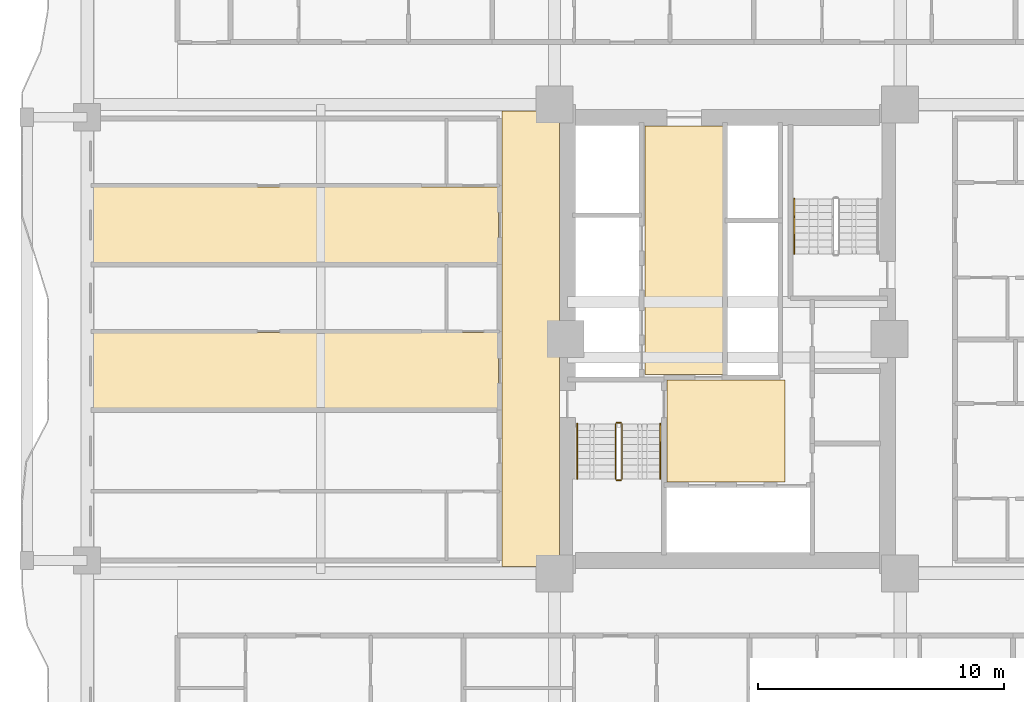
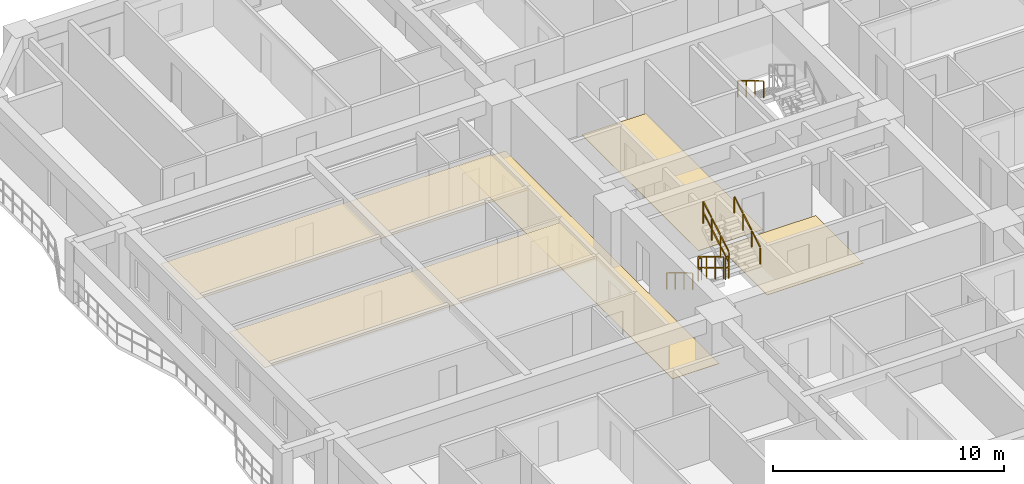
# One storey, part 13 of 16: 7 railings, 5 coverings.
"""IFC4 building model written with IfcOpenShell, lengths in metres."""

from ifc_helpers import new_model, si_unit, direction, frame, origin, origin_2d, place, context, subcontext, project, spatial, polyline, rectangle, outline, extrude, material, layer, layer_set, type_object, element, save


model = new_model("IFC4")

# Units and contexts
model_context = context("Model", 3, precision=1e-05, world=origin(), true_north=direction((0.0, 1.0)))
body_context = subcontext(model_context, "Body", "Model", "MODEL_VIEW")
ifc_project = project(units=[si_unit("LENGTHUNIT", "METRE"), si_unit("AREAUNIT", "SQUARE_METRE"), si_unit("VOLUMEUNIT", "CUBIC_METRE"), si_unit("PLANEANGLEUNIT", "RADIAN"), si_unit("MASSUNIT", "GRAM", prefix="KILO")], contexts=[model_context])

# Site, building, storey
site_placement = place(None, origin())
site = spatial("IfcSite", under=ifc_project, at=site_placement, CompositionType="ELEMENT")
building_placement = place(site_placement, origin())
building = spatial("IfcBuilding", under=site, at=building_placement, Name="Saelheon Loggia Tower", CompositionType="ELEMENT")
storey_placement = place(building_placement, frame((0.0, 0.0, 28.39990234375)))
storey = spatial("IfcBuildingStorey", under=building, at=storey_placement, Name="L08", CompositionType="ELEMENT", Elevation=28.39990234375)

# Coverings
ifc_material_1 = material(Name="Mineral-Fibre Acoustic Ceiling Board", Category="gypsum")
ifc_layer_1 = layer(ifc_material_1, 0.02490234375)
ifc_layer_set_1 = layer_set([ifc_layer_1], Name="Mineral-Fibre Acoustic Ceiling Board")
covering_type_1 = type_object("IfcCoveringType", Name="Cov_Ceiling_Acoustic", PredefinedType="CEILING", material=ifc_layer_set_1)
covering_1_placement = place(storey_placement, frame((0.0, 0.0, 2.53515625)))
element("IfcCovering", 1, at=covering_1_placement, inside=storey, type_object=covering_type_1, Name="L08 Acoustic Suspended Ceiling", PredefinedType="CEILING", context=body_context, shape_type="SweptSolid", body=[
    extrude(outline(polyline([(12.199951171875, 24.153076171875), (28.699951171875, 24.153076171875), (28.699951171875, 27.251708984375), (12.199951171875, 27.251708984375), (12.199951171875, 24.153076171875)])), origin(), (0.0, 0.0, 1.0), 0.02490234375),
])
covering_2_placement = place(storey_placement, frame((0.0, 0.0, 2.53515625)))
element("IfcCovering", 2, at=covering_2_placement, inside=storey, type_object=covering_type_1, Name="L08 Acoustic Suspended Ceiling", PredefinedType="CEILING", context=body_context, shape_type="SweptSolid", body=[
    extrude(outline(polyline([(12.199951171875, 30.076416015625), (28.699951171875, 30.076416015625), (28.699951171875, 33.17529296875), (12.199951171875, 33.17529296875), (12.199951171875, 30.076416015625)])), origin(), (0.0, 0.0, 1.0), 0.02490234375),
])
ifc_material_2 = material(Name="Vitrified Porcelain Floor Tile", Category="ceramic")
ifc_layer_2 = layer(ifc_material_2, 0.02001953125)
ifc_layer_set_2 = layer_set([ifc_layer_2], Name="Vitrified Porcelain Floor Tile")
covering_type_2 = type_object("IfcCoveringType", Name="Cov_Floor_Porcelain", PredefinedType="FLOORING", material=ifc_layer_set_2)
covering_3_placement = place(storey_placement, origin())
element("IfcCovering", 3, at=covering_3_placement, inside=storey, type_object=covering_type_2, Name="L08 Corridor Porcelain Flooring", PredefinedType="FLOORING", context=body_context, shape_type="SweptSolid", body=[
    extrude(outline(polyline([(35.550048828125, 21.179931640625), (40.35009765625, 21.179931640625), (40.35009765625, 25.320068359375), (35.550048828125, 25.320068359375), (35.550048828125, 21.179931640625)])), origin(), (0.0, 0.0, 1.0), 0.02001953125),
])
covering_4_placement = place(storey_placement, origin())
element("IfcCovering", 4, at=covering_4_placement, inside=storey, type_object=covering_type_2, Name="L08 Corridor Porcelain Flooring", PredefinedType="FLOORING", context=body_context, shape_type="SweptSolid", body=[
    extrude(outline(polyline([(34.64990234375, 25.550048828125), (37.85009765625, 25.550048828125), (37.85009765625, 35.64990234375), (34.64990234375, 35.64990234375), (34.64990234375, 25.550048828125)])), origin(), (0.0, 0.0, 1.0), 0.02001953125),
])
covering_5_placement = place(storey_placement, origin())
element("IfcCovering", 5, at=covering_5_placement, inside=storey, type_object=covering_type_2, Name="L08 Corridor Porcelain Flooring", PredefinedType="FLOORING", context=body_context, shape_type="SweptSolid", body=[
    extrude(outline(polyline([(28.85009765625, 17.75), (31.179931640625, 17.75), (31.179931640625, 36.25), (28.85009765625, 36.25), (28.85009765625, 17.75)])), origin(), (0.0, 0.0, 1.0), 0.02001953125),
])

# Railings
ifc_material_3 = material(Name="Galvanised Steel S275 Stairwell Guardrail", Category="steel")
railing_type_1 = type_object("IfcRailingType", Name="Guard_StairWell_RL_STG", PredefinedType="GUARDRAIL", material=ifc_material_3)
railing_1_placement = place(storey_placement, frame((33.4599609375, 23.550048828125, 0.166748046875)))
element("IfcRailing", 6, at=railing_1_placement, inside=storey, type_object=railing_type_1, Name="L08 ST1 stair guard 1", PredefinedType="GUARDRAIL", context=body_context, shape_type="SweptSolid", body=[
    extrude(rectangle(XDim=0.048095703125, YDim=0.048095703125, at=origin_2d()), frame((0.0, -0.028564453125, 1.19287109375), z_axis=(0.0, -0.859305625298, 0.511462454469), x_axis=(1.0, 0.0, 0.0)), (0.0, 0.0, 1.0), 0.802490234375),
    extrude(rectangle(XDim=0.048095703125, YDim=0.048095703125, at=origin_2d()), frame((0.0, -0.028564453125, 0.616943359375), z_axis=(0.0, -0.859305625298, 0.511462454469), x_axis=(1.0, 0.0, 0.0)), (0.0, 0.0, 1.0), 0.802490234375),
    extrude(rectangle(XDim=0.048095703125, YDim=0.048095703125, at=origin_2d()), frame((0.0, -0.775146484375, 1.63720703125), z_axis=(0.0, -0.859305625298, 0.511462454469), x_axis=(1.0, 0.0, 0.0)), (0.0, 0.0, 1.0), 0.802490234375),
    extrude(rectangle(XDim=0.048095703125, YDim=0.048095703125, at=origin_2d()), frame((0.0, -0.775146484375, 1.061279296875), z_axis=(0.0, -0.859305625298, 0.511462454469), x_axis=(1.0, 0.0, 0.0)), (0.0, 0.0, 1.0), 0.802490234375),
    extrude(rectangle(XDim=0.048095703125, YDim=0.048095703125, at=origin_2d()), frame((0.0, -1.52197265625, 2.081787109375), z_axis=(0.0, -0.859305625298, 0.511462454469), x_axis=(1.0, 0.0, 0.0)), (0.0, 0.0, 1.0), 0.802490234375),
    extrude(rectangle(XDim=0.048095703125, YDim=0.048095703125, at=origin_2d()), frame((0.0, -1.52197265625, 1.505859375), z_axis=(0.0, -0.859305625298, 0.511462454469), x_axis=(1.0, 0.0, 0.0)), (0.0, 0.0, 1.0), 0.802490234375),
    extrude(rectangle(XDim=0.0419921875, YDim=0.0419921875, at=origin_2d()), origin(), (0.0, 0.0, 1.0), 1.14794921875),
    extrude(rectangle(XDim=0.0419921875, YDim=0.0419921875, at=origin_2d()), frame((0.0, -0.74658203125, 0.4443359375)), (0.0, 0.0, 1.0), 1.14794921875),
    extrude(rectangle(XDim=0.0419921875, YDim=0.0419921875, at=origin_2d()), frame((0.0, -1.493408203125, 0.888916015625)), (0.0, 0.0, 1.0), 1.14794921875),
    extrude(rectangle(XDim=0.0419921875, YDim=0.0419921875, at=origin_2d()), frame((0.0, -2.239990234375, 1.333251953125)), (0.0, 0.0, 1.0), 1.14794921875),
])
railing_2_placement = place(storey_placement, frame((33.510009765625, 21.260009765625, 1.5)))
element("IfcRailing", 7, at=railing_2_placement, inside=storey, type_object=railing_type_1, Name="L08 ST1 stair guard 2", PredefinedType="GUARDRAIL", context=body_context, shape_type="SweptSolid", body=[
    extrude(rectangle(XDim=0.048095703125, YDim=0.048095703125, at=origin_2d()), frame((0.033203125, 0.0, 1.17578125), z_axis=(1.0, 0.0, 0.0), x_axis=(0.0, 1.0, 0.0)), (0.0, 0.0, 1.0), 0.093505859375),
    extrude(rectangle(XDim=0.048095703125, YDim=0.048095703125, at=origin_2d()), frame((0.033203125, 0.0, 0.60009765625), z_axis=(1.0, 0.0, 0.0), x_axis=(0.0, 1.0, 0.0)), (0.0, 0.0, 1.0), 0.093505859375),
    extrude(rectangle(XDim=0.0419921875, YDim=0.0419921875, at=origin_2d()), origin(), (0.0, 0.0, 1.0), 1.14794921875),
    extrude(rectangle(XDim=0.0419921875, YDim=0.0419921875, at=origin_2d()), frame((0.159912109375, 0.0, 0.0)), (0.0, 0.0, 1.0), 1.14794921875),
])
railing_3_placement = place(storey_placement, frame((33.719970703125, 21.31005859375, 1.666748046875)))
element("IfcRailing", 8, at=railing_3_placement, inside=storey, type_object=railing_type_1, Name="L08 ST1 stair guard 3", PredefinedType="GUARDRAIL", context=body_context, shape_type="SweptSolid", body=[
    extrude(rectangle(XDim=0.048095703125, YDim=0.048095703125, at=origin_2d()), frame((0.0, 0.028564453125, 1.19287109375), z_axis=(0.0, 0.859305625298, 0.511462454469), x_axis=(-1.0, 0.0, 0.0)), (0.0, 0.0, 1.0), 0.802490234375),
    extrude(rectangle(XDim=0.048095703125, YDim=0.048095703125, at=origin_2d()), frame((0.0, 0.028564453125, 0.616943359375), z_axis=(0.0, 0.859305625298, 0.511462454469), x_axis=(-1.0, 0.0, 0.0)), (0.0, 0.0, 1.0), 0.802490234375),
    extrude(rectangle(XDim=0.048095703125, YDim=0.048095703125, at=origin_2d()), frame((0.0, 0.775146484375, 1.63720703125), z_axis=(0.0, 0.859305625298, 0.511462454469), x_axis=(-1.0, 0.0, 0.0)), (0.0, 0.0, 1.0), 0.802490234375),
    extrude(rectangle(XDim=0.048095703125, YDim=0.048095703125, at=origin_2d()), frame((0.0, 0.775146484375, 1.061279296875), z_axis=(0.0, 0.859305625298, 0.511462454469), x_axis=(-1.0, 0.0, 0.0)), (0.0, 0.0, 1.0), 0.802490234375),
    extrude(rectangle(XDim=0.048095703125, YDim=0.048095703125, at=origin_2d()), frame((0.0, 1.52197265625, 2.081787109375), z_axis=(0.0, 0.859305625298, 0.511462454469), x_axis=(-1.0, 0.0, 0.0)), (0.0, 0.0, 1.0), 0.802490234375),
    extrude(rectangle(XDim=0.048095703125, YDim=0.048095703125, at=origin_2d()), frame((0.0, 1.52197265625, 1.505859375), z_axis=(0.0, 0.859305625298, 0.511462454469), x_axis=(-1.0, 0.0, 0.0)), (0.0, 0.0, 1.0), 0.802490234375),
    extrude(rectangle(XDim=0.0419921875, YDim=0.0419921875, at=origin_2d()), origin(), (0.0, 0.0, 1.0), 1.14794921875),
    extrude(rectangle(XDim=0.0419921875, YDim=0.0419921875, at=origin_2d()), frame((0.0, 0.74658203125, 0.4443359375)), (0.0, 0.0, 1.0), 1.14794921875),
    extrude(rectangle(XDim=0.0419921875, YDim=0.0419921875, at=origin_2d()), frame((0.0, 1.493408203125, 0.888916015625)), (0.0, 0.0, 1.0), 1.14794921875),
    extrude(rectangle(XDim=0.0419921875, YDim=0.0419921875, at=origin_2d()), frame((0.0, 2.239990234375, 1.333251953125)), (0.0, 0.0, 1.0), 1.14794921875),
])
railing_4_placement = place(storey_placement, frame((33.510009765625, 23.60009765625, 0.0)))
element("IfcRailing", 9, at=railing_4_placement, inside=storey, type_object=railing_type_1, Name="L08 ST1 stair guard 4", PredefinedType="GUARDRAIL", context=body_context, shape_type="SweptSolid", body=[
    extrude(rectangle(XDim=0.048095703125, YDim=0.048095703125, at=origin_2d()), frame((0.033203125, 0.0, 1.17578125), z_axis=(1.0, 0.0, 0.0), x_axis=(0.0, 1.0, 0.0)), (0.0, 0.0, 1.0), 0.093505859375),
    extrude(rectangle(XDim=0.048095703125, YDim=0.048095703125, at=origin_2d()), frame((0.033203125, 0.0, 0.60009765625), z_axis=(1.0, 0.0, 0.0), x_axis=(0.0, 1.0, 0.0)), (0.0, 0.0, 1.0), 0.093505859375),
    extrude(rectangle(XDim=0.0419921875, YDim=0.0419921875, at=origin_2d()), origin(), (0.0, 0.0, 1.0), 1.14794921875),
    extrude(rectangle(XDim=0.0419921875, YDim=0.0419921875, at=origin_2d()), frame((0.159912109375, 0.0, 0.0)), (0.0, 0.0, 1.0), 1.14794921875),
])
ifc_material_4 = material(Name="Stainless Steel 304 Tubular Handrail", Category="steel")
railing_type_2 = type_object("IfcRailingType", Name="Handrail_Stair_RL_HR1", PredefinedType="HANDRAIL", material=ifc_material_4)
railing_5_placement = place(storey_placement, frame((31.89990234375, 23.550048828125, 0.166748046875)))
element("IfcRailing", 10, at=railing_5_placement, inside=storey, type_object=railing_type_2, Name="L08 ST1 stair handrail 1", PredefinedType="HANDRAIL", context=body_context, shape_type="SweptSolid", body=[
    extrude(rectangle(XDim=0.048095703125, YDim=0.048095703125, at=origin_2d()), frame((0.0, -0.028564453125, 0.892822265625), z_axis=(0.0, -0.859305625298, 0.511462454469), x_axis=(1.0, 0.0, 0.0)), (0.0, 0.0, 1.0), 0.802490234375),
    extrude(rectangle(XDim=0.048095703125, YDim=0.048095703125, at=origin_2d()), frame((0.0, -0.775146484375, 1.337158203125), z_axis=(0.0, -0.859305625298, 0.511462454469), x_axis=(1.0, 0.0, 0.0)), (0.0, 0.0, 1.0), 0.802490234375),
    extrude(rectangle(XDim=0.048095703125, YDim=0.048095703125, at=origin_2d()), frame((0.0, -1.52197265625, 1.78173828125), z_axis=(0.0, -0.859305625298, 0.511462454469), x_axis=(1.0, 0.0, 0.0)), (0.0, 0.0, 1.0), 0.802490234375),
    extrude(rectangle(XDim=0.0419921875, YDim=0.0419921875, at=origin_2d()), origin(), (0.0, 0.0, 1.0), 0.847900390625),
    extrude(rectangle(XDim=0.0419921875, YDim=0.0419921875, at=origin_2d()), frame((0.0, -0.74658203125, 0.4443359375)), (0.0, 0.0, 1.0), 0.847900390625),
    extrude(rectangle(XDim=0.0419921875, YDim=0.0419921875, at=origin_2d()), frame((0.0, -1.493408203125, 0.888916015625)), (0.0, 0.0, 1.0), 0.847900390625),
    extrude(rectangle(XDim=0.0419921875, YDim=0.0419921875, at=origin_2d()), frame((0.0, -2.239990234375, 1.333251953125)), (0.0, 0.0, 1.0), 0.847900390625),
])
railing_6_placement = place(storey_placement, frame((35.280029296875, 21.31005859375, 1.666748046875)))
element("IfcRailing", 11, at=railing_6_placement, inside=storey, type_object=railing_type_2, Name="L08 ST1 stair handrail 2", PredefinedType="HANDRAIL", context=body_context, shape_type="SweptSolid", body=[
    extrude(rectangle(XDim=0.048095703125, YDim=0.048095703125, at=origin_2d()), frame((0.0, 0.028564453125, 0.892822265625), z_axis=(0.0, 0.859305625298, 0.511462454469), x_axis=(-1.0, 0.0, 0.0)), (0.0, 0.0, 1.0), 0.802490234375),
    extrude(rectangle(XDim=0.048095703125, YDim=0.048095703125, at=origin_2d()), frame((0.0, 0.775146484375, 1.337158203125), z_axis=(0.0, 0.859305625298, 0.511462454469), x_axis=(-1.0, 0.0, 0.0)), (0.0, 0.0, 1.0), 0.802490234375),
    extrude(rectangle(XDim=0.048095703125, YDim=0.048095703125, at=origin_2d()), frame((0.0, 1.52197265625, 1.78173828125), z_axis=(0.0, 0.859305625298, 0.511462454469), x_axis=(-1.0, 0.0, 0.0)), (0.0, 0.0, 1.0), 0.802490234375),
    extrude(rectangle(XDim=0.0419921875, YDim=0.0419921875, at=origin_2d()), origin(), (0.0, 0.0, 1.0), 0.847900390625),
    extrude(rectangle(XDim=0.0419921875, YDim=0.0419921875, at=origin_2d()), frame((0.0, 0.74658203125, 0.4443359375)), (0.0, 0.0, 1.0), 0.847900390625),
    extrude(rectangle(XDim=0.0419921875, YDim=0.0419921875, at=origin_2d()), frame((0.0, 1.493408203125, 0.888916015625)), (0.0, 0.0, 1.0), 0.847900390625),
    extrude(rectangle(XDim=0.0419921875, YDim=0.0419921875, at=origin_2d()), frame((0.0, 2.239990234375, 1.333251953125)), (0.0, 0.0, 1.0), 0.847900390625),
])
railing_7_placement = place(storey_placement, frame((40.719970703125, 32.68994140625, 1.666748046875)))
element("IfcRailing", 12, at=railing_7_placement, inside=storey, type_object=railing_type_2, Name="L08 ST2 stair handrail 2", PredefinedType="HANDRAIL", context=body_context, shape_type="SweptSolid", body=[
    extrude(rectangle(XDim=0.048095703125, YDim=0.048095703125, at=origin_2d()), frame((0.0, -0.028564453125, 0.892822265625), z_axis=(0.0, -0.859305625298, 0.511462454469), x_axis=(1.0, 0.0, 0.0)), (0.0, 0.0, 1.0), 0.802490234375),
    extrude(rectangle(XDim=0.048095703125, YDim=0.048095703125, at=origin_2d()), frame((0.0, -0.775146484375, 1.337158203125), z_axis=(0.0, -0.859305625298, 0.511462454469), x_axis=(1.0, 0.0, 0.0)), (0.0, 0.0, 1.0), 0.802490234375),
    extrude(rectangle(XDim=0.048095703125, YDim=0.048095703125, at=origin_2d()), frame((0.0, -1.52197265625, 1.78173828125), z_axis=(0.0, -0.859305625298, 0.511462454469), x_axis=(1.0, 0.0, 0.0)), (0.0, 0.0, 1.0), 0.802490234375),
    extrude(rectangle(XDim=0.0419921875, YDim=0.0419921875, at=origin_2d()), origin(), (0.0, 0.0, 1.0), 0.847900390625),
    extrude(rectangle(XDim=0.0419921875, YDim=0.0419921875, at=origin_2d()), frame((0.0, -0.74658203125, 0.4443359375)), (0.0, 0.0, 1.0), 0.847900390625),
    extrude(rectangle(XDim=0.0419921875, YDim=0.0419921875, at=origin_2d()), frame((0.0, -1.493408203125, 0.888916015625)), (0.0, 0.0, 1.0), 0.847900390625),
    extrude(rectangle(XDim=0.0419921875, YDim=0.0419921875, at=origin_2d()), frame((0.0, -2.239990234375, 1.333251953125)), (0.0, 0.0, 1.0), 0.847900390625),
])

save(model, "model.ifc")
